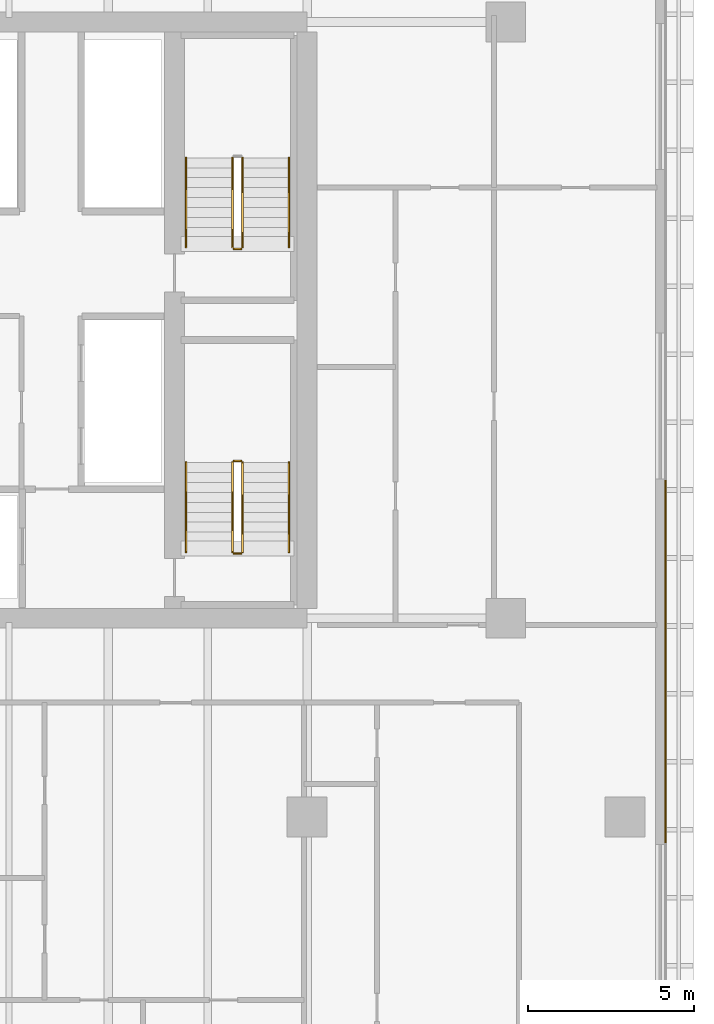
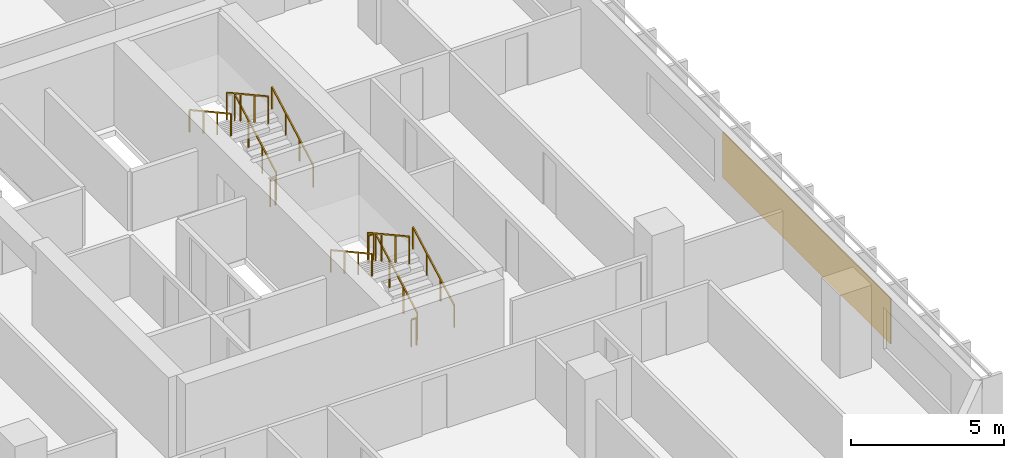
# One storey, part 24 of 26: 11 railings, 1 covering.
"""IFC4 building model written with IfcOpenShell, lengths in metres."""

from ifc_helpers import new_model, si_unit, direction, frame, origin, origin_2d, place, context, subcontext, project, spatial, rectangle, extrude, material, layer, layer_set, type_object, element, save


model = new_model("IFC4")

# Units and contexts
model_context = context("Model", 3, precision=1e-05, world=origin(), true_north=direction((0.0, 1.0)))
body_context = subcontext(model_context, "Body", "Model", "MODEL_VIEW")
ifc_project = project(units=[si_unit("LENGTHUNIT", "METRE"), si_unit("AREAUNIT", "SQUARE_METRE"), si_unit("VOLUMEUNIT", "CUBIC_METRE"), si_unit("PLANEANGLEUNIT", "RADIAN"), si_unit("MASSUNIT", "GRAM", prefix="KILO")], contexts=[model_context])

# Site, building, storey
site_placement = place(None, origin())
site = spatial("IfcSite", under=ifc_project, at=site_placement, CompositionType="ELEMENT")
building_placement = place(site_placement, origin())
building = spatial("IfcBuilding", under=site, at=building_placement, Name="Tanjung Sevakor Pilgrim Tower", CompositionType="ELEMENT")
storey_placement = place(building_placement, frame((0.0, 0.0, 48.840087890625)))
storey = spatial("IfcBuildingStorey", under=building, at=storey_placement, Name="L13", CompositionType="ELEMENT", Elevation=48.840087890625)

# Covering
ifc_material_1 = material(Name="Reconstructed Limestone Cladding", Category="masonry")
ifc_layer = layer(ifc_material_1, 0.044921875)
ifc_layer_set = layer_set([ifc_layer], Name="COV-CLAD-LIMESTONE")
covering_type = type_object("IfcCoveringType", Name="COV-CLAD-LIMESTONE", PredefinedType="CLADDING", material=ifc_layer_set)
covering_placement = place(storey_placement, frame((100.822509765625, 23.28955078125, 0.849853515625), z_axis=(0.0, 0.0, 1.0), x_axis=(0.0, 1.0, 0.0)))
element("IfcCovering", 1, at=covering_placement, inside=storey, type_object=covering_type, Name="L13 Warm Limestone Pier Panel EW-L13-MAIN-7-1", PredefinedType="CLADDING", context=body_context, shape_type="SweptSolid", body=[
    extrude(rectangle(XDim=10.94091796875, YDim=0.044921875, at=origin_2d()), origin(), (0.0, 0.0, 1.0), 1.81005859375),
])

# Railings
ifc_material_2 = material(Name="Steel S355J2", Category="steel")
railing_type_1 = type_object("IfcRailingType", Name="RL-STAIR-GUARD", PredefinedType="GUARDRAIL", material=ifc_material_2)
railing_1_placement = place(storey_placement, frame((88.050048828125, 26.60009765625, 0.164794921875)))
element("IfcRailing", 2, at=railing_1_placement, inside=storey, type_object=railing_type_1, Name="L13 TS-E1 stair guard 1", PredefinedType="GUARDRAIL", context=body_context, shape_type="SweptSolid", body=[
    extrude(rectangle(XDim=0.0479, YDim=0.0479), frame((0.0, 0.0, 1.076171875), z_axis=(0.0, 0.876197507361, 0.481952205197), x_axis=(-1.0, 0.0, 0.0)), (0.0, 0.0, 1.0), 3.08154296875),
    extrude(rectangle(XDim=0.042, YDim=0.042), origin(), (0.0, 0.0, 1.0), 1.052001953125),
    extrude(rectangle(XDim=0.042, YDim=0.042), frame((0.0, 0.89990234375, 0.4951171875)), (0.0, 0.0, 1.0), 1.052001953125),
    extrude(rectangle(XDim=0.042, YDim=0.042), frame((0.0, 1.800048828125, 0.989990234375)), (0.0, 0.0, 1.0), 1.052001953125),
    extrude(rectangle(XDim=0.042, YDim=0.042), frame((0.0, 2.699951171875, 1.485107421875)), (0.0, 0.0, 1.0), 1.052001953125),
])
railing_2_placement = place(storey_placement, frame((88.0, 29.35009765625, 1.64990234375)))
element("IfcRailing", 3, at=railing_2_placement, inside=storey, type_object=railing_type_1, Name="L13 TS-E1 stair guard 2", PredefinedType="GUARDRAIL", context=body_context, shape_type="SweptSolid", body=[
    extrude(rectangle(XDim=0.0479, YDim=0.0479), frame((0.0, 0.0, 1.076171875), z_axis=(-1.0, 0.0, 0.0), x_axis=(0.0, -1.0, 0.0)), (0.0, 0.0, 1.0), 0.199951171875),
    extrude(rectangle(XDim=0.042, YDim=0.042), origin(), (0.0, 0.0, 1.0), 1.052001953125),
    extrude(rectangle(XDim=0.042, YDim=0.042), frame((-0.199951171875, 0.0, 0.0)), (0.0, 0.0, 1.0), 1.052001953125),
])
railing_3_placement = place(storey_placement, frame((87.75, 29.300048828125, 1.81494140625)))
element("IfcRailing", 4, at=railing_3_placement, inside=storey, type_object=railing_type_1, Name="L13 TS-E1 stair guard 3", PredefinedType="GUARDRAIL", context=body_context, shape_type="SweptSolid", body=[
    extrude(rectangle(XDim=0.0479, YDim=0.0479), frame((0.0, 0.0, 1.076171875), z_axis=(0.0, -0.876230963923, 0.481891375584), x_axis=(1.0, 0.0, 0.0)), (0.0, 0.0, 1.0), 3.081298828125),
    extrude(rectangle(XDim=0.042, YDim=0.042), origin(), (0.0, 0.0, 1.0), 1.052001953125),
    extrude(rectangle(XDim=0.042, YDim=0.042), frame((0.0, -0.89990234375, 0.494873046875)), (0.0, 0.0, 1.0), 1.052001953125),
    extrude(rectangle(XDim=0.042, YDim=0.042), frame((0.0, -1.800048828125, 0.989990234375)), (0.0, 0.0, 1.0), 1.052001953125),
    extrude(rectangle(XDim=0.042, YDim=0.042), frame((0.0, -2.699951171875, 1.48486328125)), (0.0, 0.0, 1.0), 1.052001953125),
])
railing_4_placement = place(storey_placement, frame((88.0, 26.550048828125, 0.0)))
element("IfcRailing", 5, at=railing_4_placement, inside=storey, type_object=railing_type_1, Name="L13 TS-E1 stair guard 4", PredefinedType="GUARDRAIL", context=body_context, shape_type="SweptSolid", body=[
    extrude(rectangle(XDim=0.0479, YDim=0.0479), frame((0.0, 0.0, 1.076171875), z_axis=(-1.0, 0.0, 0.0), x_axis=(0.0, -1.0, 0.0)), (0.0, 0.0, 1.0), 0.199951171875),
    extrude(rectangle(XDim=0.042, YDim=0.042), origin(), (0.0, 0.0, 1.0), 1.052001953125),
    extrude(rectangle(XDim=0.042, YDim=0.042), frame((-0.199951171875, 0.0, 0.0)), (0.0, 0.0, 1.0), 1.052001953125),
])
railing_5_placement = place(storey_placement, frame((88.050048828125, 35.800048828125, 0.164794921875)))
element("IfcRailing", 6, at=railing_5_placement, inside=storey, type_object=railing_type_1, Name="L13 TS-E2 stair guard 1", PredefinedType="GUARDRAIL", context=body_context, shape_type="SweptSolid", body=[
    extrude(rectangle(XDim=0.0479, YDim=0.0479), frame((0.0, 0.0, 1.076171875), z_axis=(0.0, 0.876197507361, 0.481952205197), x_axis=(-1.0, 0.0, 0.0)), (0.0, 0.0, 1.0), 3.08154296875),
    extrude(rectangle(XDim=0.042, YDim=0.042), origin(), (0.0, 0.0, 1.0), 1.052001953125),
    extrude(rectangle(XDim=0.042, YDim=0.042), frame((0.0, 0.89990234375, 0.4951171875)), (0.0, 0.0, 1.0), 1.052001953125),
    extrude(rectangle(XDim=0.042, YDim=0.042), frame((0.0, 1.800048828125, 0.989990234375)), (0.0, 0.0, 1.0), 1.052001953125),
    extrude(rectangle(XDim=0.042, YDim=0.042), frame((0.0, 2.699951171875, 1.485107421875)), (0.0, 0.0, 1.0), 1.052001953125),
])
railing_6_placement = place(storey_placement, frame((87.75, 38.5, 1.81494140625)))
element("IfcRailing", 7, at=railing_6_placement, inside=storey, type_object=railing_type_1, Name="L13 TS-E2 stair guard 3", PredefinedType="GUARDRAIL", context=body_context, shape_type="SweptSolid", body=[
    extrude(rectangle(XDim=0.0479, YDim=0.0479), frame((0.0, 0.0, 1.076171875), z_axis=(0.0, -0.876230963923, 0.481891375584), x_axis=(1.0, 0.0, 0.0)), (0.0, 0.0, 1.0), 3.081298828125),
    extrude(rectangle(XDim=0.042, YDim=0.042), origin(), (0.0, 0.0, 1.0), 1.052001953125),
    extrude(rectangle(XDim=0.042, YDim=0.042), frame((0.0, -0.89990234375, 0.494873046875)), (0.0, 0.0, 1.0), 1.052001953125),
    extrude(rectangle(XDim=0.042, YDim=0.042), frame((0.0, -1.800048828125, 0.989990234375)), (0.0, 0.0, 1.0), 1.052001953125),
    extrude(rectangle(XDim=0.042, YDim=0.042), frame((0.0, -2.699951171875, 1.48486328125)), (0.0, 0.0, 1.0), 1.052001953125),
])
railing_7_placement = place(storey_placement, frame((88.0, 35.75, 0.0)))
element("IfcRailing", 8, at=railing_7_placement, inside=storey, type_object=railing_type_1, Name="L13 TS-E2 stair guard 4", PredefinedType="GUARDRAIL", context=body_context, shape_type="SweptSolid", body=[
    extrude(rectangle(XDim=0.0479, YDim=0.0479), frame((0.0, 0.0, 1.076171875), z_axis=(-1.0, 0.0, 0.0), x_axis=(0.0, -1.0, 0.0)), (0.0, 0.0, 1.0), 0.199951171875),
    extrude(rectangle(XDim=0.042, YDim=0.042), origin(), (0.0, 0.0, 1.0), 1.052001953125),
    extrude(rectangle(XDim=0.042, YDim=0.042), frame((-0.199951171875, 0.0, 0.0)), (0.0, 0.0, 1.0), 1.052001953125),
])
ifc_material_3 = material(Name="Steel S355J2", Category="steel")
railing_type_2 = type_object("IfcRailingType", Name="RL-STAIR-HAND", PredefinedType="HANDRAIL", material=ifc_material_3)
railing_8_placement = place(storey_placement, frame((89.449951171875, 26.60009765625, 0.164794921875)))
element("IfcRailing", 9, at=railing_8_placement, inside=storey, type_object=railing_type_2, Name="L13 TS-E1 stair handrail 1", PredefinedType="HANDRAIL", context=body_context, shape_type="SweptSolid", body=[
    extrude(rectangle(XDim=0.0479, YDim=0.0479), frame((0.0, 0.0, 0.8759765625), z_axis=(0.0, 0.876197507361, 0.481952205197), x_axis=(-1.0, 0.0, 0.0)), (0.0, 0.0, 1.0), 3.08154296875),
    extrude(rectangle(XDim=0.042, YDim=0.042), origin(), (0.0, 0.0, 1.0), 0.851806640625),
    extrude(rectangle(XDim=0.042, YDim=0.042), frame((0.0, 0.89990234375, 0.4951171875)), (0.0, 0.0, 1.0), 0.851806640625),
    extrude(rectangle(XDim=0.042, YDim=0.042), frame((0.0, 1.800048828125, 0.989990234375)), (0.0, 0.0, 1.0), 0.851806640625),
    extrude(rectangle(XDim=0.042, YDim=0.042), frame((0.0, 2.699951171875, 1.485107421875)), (0.0, 0.0, 1.0), 0.851806640625),
])
railing_9_placement = place(storey_placement, frame((86.35009765625, 29.300048828125, 1.81494140625)))
element("IfcRailing", 10, at=railing_9_placement, inside=storey, type_object=railing_type_2, Name="L13 TS-E1 stair handrail 2", PredefinedType="HANDRAIL", context=body_context, shape_type="SweptSolid", body=[
    extrude(rectangle(XDim=0.0479, YDim=0.0479), frame((0.0, 0.0, 0.8759765625), z_axis=(0.0, -0.876230963923, 0.481891375584), x_axis=(1.0, 0.0, 0.0)), (0.0, 0.0, 1.0), 3.081298828125),
    extrude(rectangle(XDim=0.042, YDim=0.042), origin(), (0.0, 0.0, 1.0), 0.851806640625),
    extrude(rectangle(XDim=0.042, YDim=0.042), frame((0.0, -0.89990234375, 0.494873046875)), (0.0, 0.0, 1.0), 0.851806640625),
    extrude(rectangle(XDim=0.042, YDim=0.042), frame((0.0, -1.800048828125, 0.989990234375)), (0.0, 0.0, 1.0), 0.851806640625),
    extrude(rectangle(XDim=0.042, YDim=0.042), frame((0.0, -2.699951171875, 1.48486328125)), (0.0, 0.0, 1.0), 0.851806640625),
])
railing_10_placement = place(storey_placement, frame((89.449951171875, 35.800048828125, 0.164794921875)))
element("IfcRailing", 11, at=railing_10_placement, inside=storey, type_object=railing_type_2, Name="L13 TS-E2 stair handrail 1", PredefinedType="HANDRAIL", context=body_context, shape_type="SweptSolid", body=[
    extrude(rectangle(XDim=0.0479, YDim=0.0479), frame((0.0, 0.0, 0.8759765625), z_axis=(0.0, 0.876197507361, 0.481952205197), x_axis=(-1.0, 0.0, 0.0)), (0.0, 0.0, 1.0), 3.08154296875),
    extrude(rectangle(XDim=0.042, YDim=0.042), origin(), (0.0, 0.0, 1.0), 0.851806640625),
    extrude(rectangle(XDim=0.042, YDim=0.042), frame((0.0, 0.89990234375, 0.4951171875)), (0.0, 0.0, 1.0), 0.851806640625),
    extrude(rectangle(XDim=0.042, YDim=0.042), frame((0.0, 1.800048828125, 0.989990234375)), (0.0, 0.0, 1.0), 0.851806640625),
    extrude(rectangle(XDim=0.042, YDim=0.042), frame((0.0, 2.699951171875, 1.485107421875)), (0.0, 0.0, 1.0), 0.851806640625),
])
railing_11_placement = place(storey_placement, frame((86.35009765625, 38.5, 1.81494140625)))
element("IfcRailing", 12, at=railing_11_placement, inside=storey, type_object=railing_type_2, Name="L13 TS-E2 stair handrail 2", PredefinedType="HANDRAIL", context=body_context, shape_type="SweptSolid", body=[
    extrude(rectangle(XDim=0.0479, YDim=0.0479), frame((0.0, 0.0, 0.8759765625), z_axis=(0.0, -0.876230963923, 0.481891375584), x_axis=(1.0, 0.0, 0.0)), (0.0, 0.0, 1.0), 3.081298828125),
    extrude(rectangle(XDim=0.042, YDim=0.042), origin(), (0.0, 0.0, 1.0), 0.851806640625),
    extrude(rectangle(XDim=0.042, YDim=0.042), frame((0.0, -0.89990234375, 0.494873046875)), (0.0, 0.0, 1.0), 0.851806640625),
    extrude(rectangle(XDim=0.042, YDim=0.042), frame((0.0, -1.800048828125, 0.989990234375)), (0.0, 0.0, 1.0), 0.851806640625),
    extrude(rectangle(XDim=0.042, YDim=0.042), frame((0.0, -2.699951171875, 1.48486328125)), (0.0, 0.0, 1.0), 0.851806640625),
])

save(model, "model.ifc")
